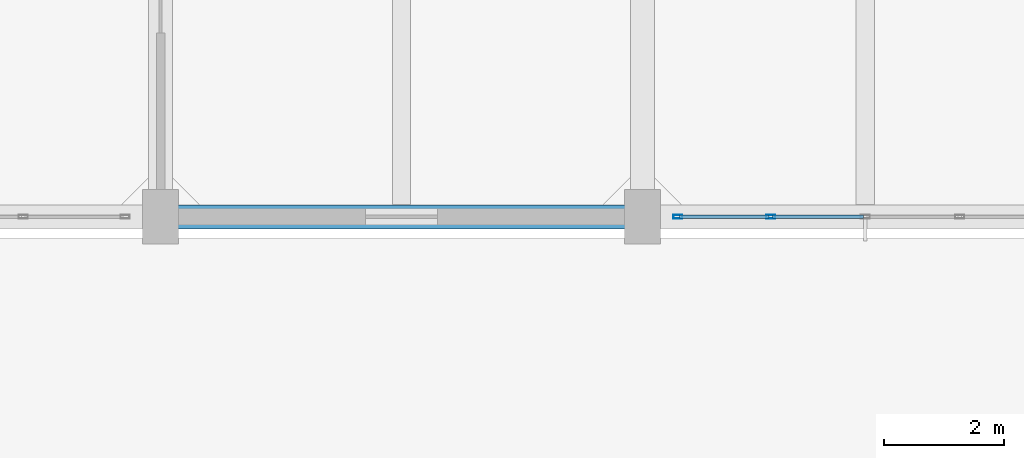
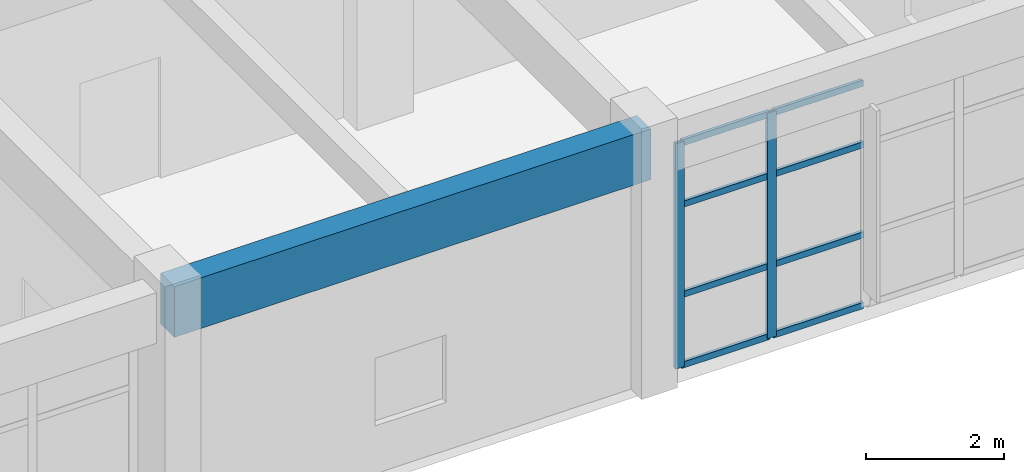
# One storey, part 25 of 63: 10 members, 1 beam, 1 element without a shape of its own.
"""IFC4 building model written with IfcOpenShell, lengths in metres."""

from ifc_helpers import new_model, si_unit, direction, frame, origin, origin_2d, place, context, subcontext, project, spatial, rectangle, hollow_rectangle, extrude, material, layer, layer_set, material_profile, profile_set, type_object, element, aggregate, save


model = new_model("IFC4")

# Units and contexts
model_context = context("Model", 3, precision=1e-05, world=origin(), true_north=direction((0.0, 1.0)))
body_context = subcontext(model_context, "Body", "Model", "MODEL_VIEW")
ifc_project = project(units=[si_unit("LENGTHUNIT", "METRE"), si_unit("AREAUNIT", "SQUARE_METRE"), si_unit("VOLUMEUNIT", "CUBIC_METRE"), si_unit("PLANEANGLEUNIT", "RADIAN"), si_unit("MASSUNIT", "GRAM", prefix="KILO")], contexts=[model_context])

# Site, building, storey
site_placement = place(None, origin())
site = spatial("IfcSite", under=ifc_project, at=site_placement, CompositionType="ELEMENT")
building_placement = place(site_placement, origin())
building = spatial("IfcBuilding", under=site, at=building_placement, Name="Canggui Botanical Conservatory", CompositionType="ELEMENT")
storey_placement = place(building_placement, frame((0.0, 0.0, 10.199951171875)))
storey = spatial("IfcBuildingStorey", under=building, at=storey_placement, Name="L03", CompositionType="ELEMENT", Elevation=10.199951171875)

# Beam
ifc_material_1 = material(Name="Concrete C35", Category="concrete")
ifc_material_profile_1 = material_profile(ifc_material_1, rectangle(XDim=0.39990234375, YDim=0.89990234375, at=origin_2d()), Name="RB 400x900")
ifc_profile_set_1 = profile_set([ifc_material_profile_1], Name="Concrete C35")
beam_type = type_object("IfcBeamType", Name="BM-KL07", PredefinedType="BEAM", material=ifc_profile_set_1)
beam_placement = place(storey_placement, frame((162.0, 26.0, 4.10009765625), z_axis=(1.0, 0.0, 0.0), x_axis=(0.0, 1.0, 0.0)))
element("IfcBeam", 1, at=beam_placement, inside=storey, type_object=beam_type, Name="Frame Girder L03 Y26-4", PredefinedType="BEAM", context=body_context, shape_type="SweptSolid", body=[
    extrude(rectangle(XDim=0.39990234375, YDim=0.89990234375, at=origin_2d()), origin(), (0.0, 0.0, 1.0), 8.0),
])

# Curtain wall, members
ifc_material_2 = material(Name="Thermally Broken Aluminium", Category="aluminium")
ifc_layer = layer(ifc_material_2, 0.14990234375, Name="Thermally Broken Aluminium", Category="aluminium")
ifc_layer_set = layer_set([ifc_layer], Name="Thermally Broken Aluminium")
curtain_wall_type = type_object("IfcCurtainWallType", Name="CW-UNIT-C", PredefinedType="USERDEFINED", material=ifc_layer_set)
curtain_wall_placement = place(storey_placement, origin())
curtain_wall = element("IfcCurtainWall", 2, at=curtain_wall_placement, inside=storey, type_object=curtain_wall_type, Name="Facade Curtain Wall CW-TWR-L03-01", ObjectType="UNITISED CURTAIN WALL", PredefinedType="USERDEFINED")
ifc_material_profile_2 = material_profile(ifc_material_2, hollow_rectangle(XDim=0.06005859375, YDim=0.14990234375, WallThickness=0.00341796875, at=origin_2d()), Name="CWM 60x150x3.5")
ifc_profile_set_2 = profile_set([ifc_material_profile_2], Name="Thermally Broken Aluminium")
member_type_1 = type_object("IfcMemberType", Name="CWM-03", PredefinedType="MULLION", material=ifc_profile_set_2)
member_1_placement = place(storey_placement, frame((172.1298828125, 26.0, 0.0), z_axis=(0.0, 0.0, 1.0), x_axis=(0.0, -1.0, 0.0)))
member_1 = element("IfcMember", 3, at=member_1_placement, type_object=member_type_1, Name="CW-03 mullion 4", PredefinedType="MULLION", context=body_context, shape_type="SweptSolid", body=[
    extrude(hollow_rectangle(XDim=0.06005859375, YDim=0.14990234375, WallThickness=0.00341796875, at=origin_2d()), origin(), (0.0, 0.0, 1.0), 4.0),
])
member_2_placement = place(storey_placement, frame((170.590087890625, 26.0, 0.0), z_axis=(0.0, 0.0, 1.0), x_axis=(0.0, -1.0, 0.0)))
member_2 = element("IfcMember", 4, at=member_2_placement, type_object=member_type_1, Name="CW-03 mullion 5", PredefinedType="MULLION", context=body_context, shape_type="SweptSolid", body=[
    extrude(hollow_rectangle(XDim=0.06005859375, YDim=0.14990234375, WallThickness=0.00341796875, at=origin_2d()), origin(), (0.0, 0.0, 1.0), 4.0),
])
ifc_material_profile_3 = material_profile(ifc_material_2, hollow_rectangle(XDim=0.054931640625, YDim=0.110107421875, WallThickness=0.0029296875, at=origin_2d()), Name="CWT 55x110x3")
ifc_profile_set_3 = profile_set([ifc_material_profile_3], Name="Thermally Broken Aluminium")
member_type_2 = type_object("IfcMemberType", Name="CWT-03", PredefinedType="USERDEFINED", material=ifc_profile_set_3)
member_3_placement = place(storey_placement, frame((173.669921875, 26.0, 0.027587890625), z_axis=(-1.0, 0.0, 0.0), x_axis=(0.0, -1.0, 0.0)))
member_3 = element("IfcMember", 5, at=member_3_placement, type_object=member_type_2, Name="CW-03 transom 3.1", ObjectType="TRANSOM", PredefinedType="USERDEFINED", context=body_context, shape_type="SweptSolid", body=[
    extrude(hollow_rectangle(XDim=0.054931640625, YDim=0.110107421875, WallThickness=0.0029296875, at=origin_2d()), origin(), (0.0, 0.0, 1.0), 1.510009765625),
])
member_4_placement = place(storey_placement, frame((173.669921875, 26.0, 1.280029296875), z_axis=(-1.0, 0.0, 0.0), x_axis=(0.0, -1.0, 0.0)))
member_4 = element("IfcMember", 6, at=member_4_placement, type_object=member_type_2, Name="CW-03 transom 3.2", ObjectType="TRANSOM", PredefinedType="USERDEFINED", context=body_context, shape_type="SweptSolid", body=[
    extrude(hollow_rectangle(XDim=0.054931640625, YDim=0.110107421875, WallThickness=0.0029296875, at=origin_2d()), origin(), (0.0, 0.0, 1.0), 1.510009765625),
])
member_5_placement = place(storey_placement, frame((173.669921875, 26.0, 2.880126953125), z_axis=(-1.0, 0.0, 0.0), x_axis=(0.0, -1.0, 0.0)))
member_5 = element("IfcMember", 7, at=member_5_placement, type_object=member_type_2, Name="CW-03 transom 3.3", ObjectType="TRANSOM", PredefinedType="USERDEFINED", context=body_context, shape_type="SweptSolid", body=[
    extrude(hollow_rectangle(XDim=0.054931640625, YDim=0.110107421875, WallThickness=0.0029296875, at=origin_2d()), origin(), (0.0, 0.0, 1.0), 1.510009765625),
])
member_6_placement = place(storey_placement, frame((173.669921875, 26.0, 3.97265625), z_axis=(-1.0, 0.0, 0.0), x_axis=(0.0, -1.0, 0.0)))
member_6 = element("IfcMember", 8, at=member_6_placement, type_object=member_type_2, Name="CW-03 transom 3.4", ObjectType="TRANSOM", PredefinedType="USERDEFINED", context=body_context, shape_type="SweptSolid", body=[
    extrude(hollow_rectangle(XDim=0.054931640625, YDim=0.110107421875, WallThickness=0.0029296875, at=origin_2d()), origin(), (0.0, 0.0, 1.0), 1.510009765625),
])
member_7_placement = place(storey_placement, frame((172.10009765625, 26.0, 0.027587890625), z_axis=(-1.0, 0.0, 0.0), x_axis=(0.0, -1.0, 0.0)))
member_7 = element("IfcMember", 9, at=member_7_placement, type_object=member_type_2, Name="CW-03 transom 4.1", ObjectType="TRANSOM", PredefinedType="USERDEFINED", context=body_context, shape_type="SweptSolid", body=[
    extrude(hollow_rectangle(XDim=0.054931640625, YDim=0.110107421875, WallThickness=0.0029296875, at=origin_2d()), origin(), (0.0, 0.0, 1.0), 1.47998046875),
])
member_8_placement = place(storey_placement, frame((172.10009765625, 26.0, 1.280029296875), z_axis=(-1.0, 0.0, 0.0), x_axis=(0.0, -1.0, 0.0)))
member_8 = element("IfcMember", 10, at=member_8_placement, type_object=member_type_2, Name="CW-03 transom 4.2", ObjectType="TRANSOM", PredefinedType="USERDEFINED", context=body_context, shape_type="SweptSolid", body=[
    extrude(hollow_rectangle(XDim=0.054931640625, YDim=0.110107421875, WallThickness=0.0029296875, at=origin_2d()), origin(), (0.0, 0.0, 1.0), 1.47998046875),
])
member_9_placement = place(storey_placement, frame((172.10009765625, 26.0, 2.880126953125), z_axis=(-1.0, 0.0, 0.0), x_axis=(0.0, -1.0, 0.0)))
member_9 = element("IfcMember", 11, at=member_9_placement, type_object=member_type_2, Name="CW-03 transom 4.3", ObjectType="TRANSOM", PredefinedType="USERDEFINED", context=body_context, shape_type="SweptSolid", body=[
    extrude(hollow_rectangle(XDim=0.054931640625, YDim=0.110107421875, WallThickness=0.0029296875, at=origin_2d()), origin(), (0.0, 0.0, 1.0), 1.47998046875),
])
member_10_placement = place(storey_placement, frame((172.10009765625, 26.0, 3.97265625), z_axis=(-1.0, 0.0, 0.0), x_axis=(0.0, -1.0, 0.0)))
member_10 = element("IfcMember", 12, at=member_10_placement, type_object=member_type_2, Name="CW-03 transom 4.4", ObjectType="TRANSOM", PredefinedType="USERDEFINED", context=body_context, shape_type="SweptSolid", body=[
    extrude(hollow_rectangle(XDim=0.054931640625, YDim=0.110107421875, WallThickness=0.0029296875, at=origin_2d()), origin(), (0.0, 0.0, 1.0), 1.47998046875),
])
aggregate(curtain_wall, [member_1, member_2, member_3, member_4, member_5, member_6, member_7, member_8, member_9, member_10])

save(model, "model.ifc")
